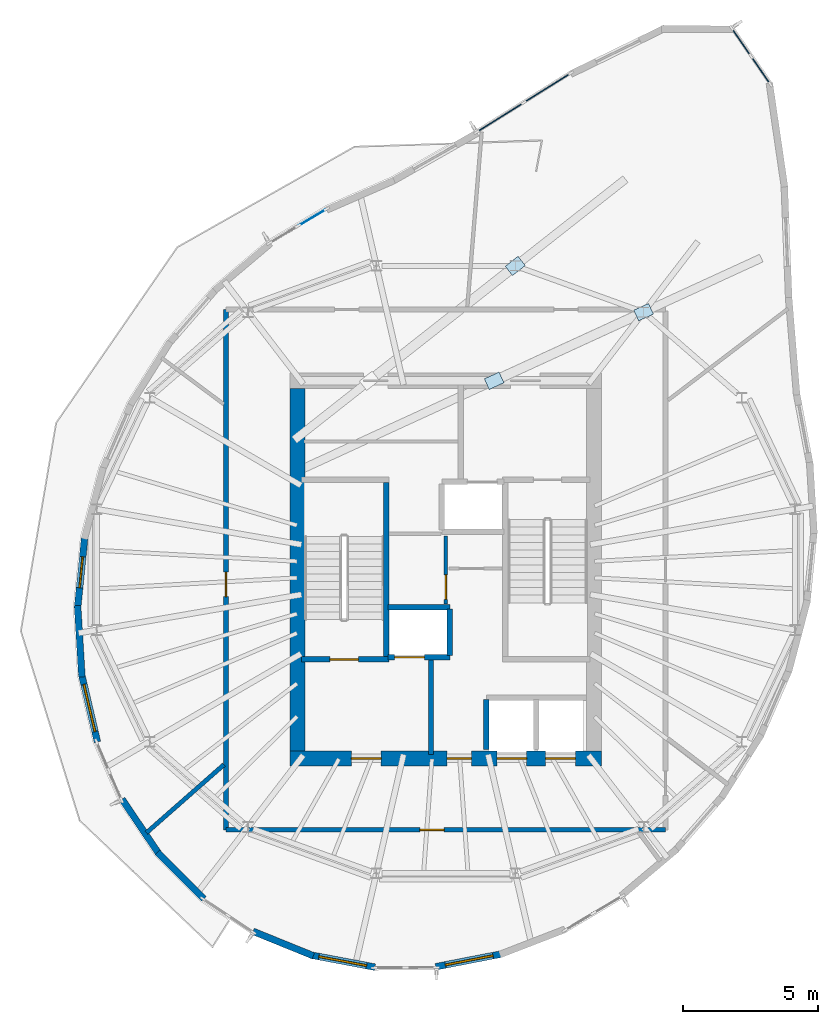
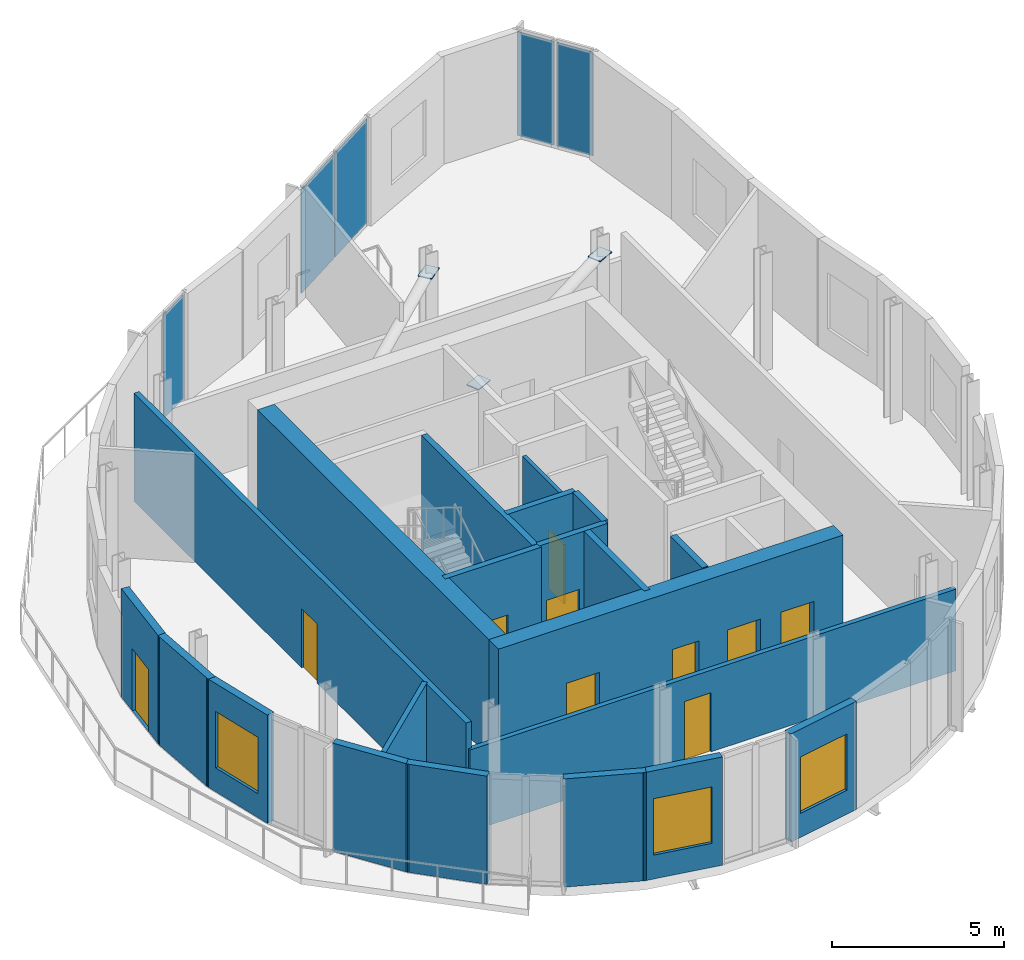
# One storey, part 4 of 8: 21 walls, 10 doors, 8 plates, 3 windows, 13 openings, 3 elements without a shape of their own.
"""IFC4 building model written with IfcOpenShell, lengths in metres."""

from ifc_helpers import new_model, si_unit, direction, frame, frame_2d, origin, origin_2d, place, context, subcontext, project, spatial, rectangle, extrude, material, layer, layer_set, type_object, element, fill, aggregate, save


model = new_model("IFC4")

# Units and contexts
model_context = context("Model", 3, precision=1e-05, world=origin(), true_north=direction((0.0, 1.0)))
body_context = subcontext(model_context, "Body", "Model", "MODEL_VIEW")
ifc_project = project(units=[si_unit("LENGTHUNIT", "METRE"), si_unit("AREAUNIT", "SQUARE_METRE"), si_unit("VOLUMEUNIT", "CUBIC_METRE"), si_unit("PLANEANGLEUNIT", "RADIAN"), si_unit("MASSUNIT", "GRAM", prefix="KILO")], contexts=[model_context])

# Site, building, storey
site_placement = place(None, origin())
site = spatial("IfcSite", under=ifc_project, at=site_placement, CompositionType="ELEMENT")
building_placement = place(site_placement, origin())
building = spatial("IfcBuilding", under=site, at=building_placement, Name="Veldorim Arch Residences", CompositionType="ELEMENT")
storey_placement = place(building_placement, frame((0.0, 0.0, 246.8798828125)))
storey = spatial("IfcBuildingStorey", under=building, at=storey_placement, Name="L74", CompositionType="ELEMENT", Elevation=246.8798828125)

# Curtain wall, plates
ifc_material_1 = material(Name="Aluminium", Category="aluminium")
curtain_wall_type = type_object("IfcCurtainWallType", Name="Sky Lounge & Conservatory Tall Curtain Wall", PredefinedType="NOTDEFINED", material=ifc_material_1)
curtain_wall_1_placement = place(storey_placement, origin())
curtain_wall_1 = element("IfcCurtainWall", 1, at=curtain_wall_1_placement, inside=storey, type_object=curtain_wall_type, Name="L74 unitised curtain wall bay 03", PredefinedType="NOTDEFINED")
ifc_material_2 = material(Name="Laminated Low-E Glass", Category="glass")
ifc_layer_1 = layer(ifc_material_2, 0.031982421875, Name="Sky Lounge & Conservatory Tall Curtain Wall Glazing Panel 32")
ifc_layer_set_1 = layer_set([ifc_layer_1], Name="Laminated Low-E Glass")
plate_type_1 = type_object("IfcPlateType", Name="Sky Lounge & Conservatory Tall Curtain Wall Glazing Panel 32", PredefinedType="CURTAIN_PANEL", material=ifc_layer_set_1)
plate_1_placement = place(storey_placement, frame((34.017333984375, 40.76611328125, 0.080078125), z_axis=(0.0, 0.0, 1.0), x_axis=(0.847250937163, 0.531192855257, 0.0)))
plate_1 = element("IfcPlate", 2, at=plate_1_placement, type_object=plate_type_1, Name="CW-SKY panel 1.1", PredefinedType="CURTAIN_PANEL", context=body_context, shape_type="SweptSolid", body=[
    extrude(rectangle(XDim=1.9794921875, YDim=0.031982421875, at=origin_2d()), origin(), (0.0, 0.0, 1.0), 3.679931640625),
])
plate_2_placement = place(storey_placement, frame((35.76220703125, 41.860107421875, 0.080078125), z_axis=(0.0, 0.0, 1.0), x_axis=(0.847250937163, 0.531192855257, 0.0)))
plate_2 = element("IfcPlate", 3, at=plate_2_placement, type_object=plate_type_1, Name="CW-SKY panel 2.1", PredefinedType="CURTAIN_PANEL", context=body_context, shape_type="SweptSolid", body=[
    extrude(rectangle(XDim=1.9794921875, YDim=0.031982421875, at=origin_2d()), origin(), (0.0, 0.0, 1.0), 3.679931640625),
])
aggregate(curtain_wall_1, [plate_1, plate_2])

# Curtain wall, plate
curtain_wall_2_placement = place(storey_placement, origin())
curtain_wall_2 = element("IfcCurtainWall", 4, at=curtain_wall_2_placement, inside=storey, type_object=curtain_wall_type, Name="L74 unitised curtain wall bay 06", PredefinedType="NOTDEFINED")
plate_3_placement = place(storey_placement, frame((27.05517578125, 37.05712890625, 0.080078125), z_axis=(0.0, 0.0, 1.0), x_axis=(0.858706763256, 0.512467262114, 0.0)))
plate_3 = element("IfcPlate", 5, at=plate_3_placement, type_object=plate_type_1, Name="CW-SKY panel 2.1", PredefinedType="CURTAIN_PANEL", context=body_context, shape_type="SweptSolid", body=[
    extrude(rectangle(XDim=1.160400390625, YDim=0.031982421875, at=origin_2d()), origin(), (0.0, 0.0, 1.0), 3.679931640625),
])
aggregate(curtain_wall_2, [plate_3])

# Curtain wall, plates
curtain_wall_3_placement = place(storey_placement, origin())
curtain_wall_3 = element("IfcCurtainWall", 6, at=curtain_wall_3_placement, inside=storey, type_object=curtain_wall_type, Name="L74 unitised curtain wall bay 36", PredefinedType="NOTDEFINED")
plate_4_placement = place(storey_placement, frame((42.955322265625, 43.556396484375, 0.080078125), z_axis=(0.0, 0.0, 1.0), x_axis=(0.567588768264, -0.823312206967, 0.0)))
plate_4 = element("IfcPlate", 7, at=plate_4_placement, type_object=plate_type_1, Name="CW-SKY panel 1.1", PredefinedType="CURTAIN_PANEL", context=body_context, shape_type="SweptSolid", body=[
    extrude(rectangle(XDim=1.184814453125, YDim=0.031982421875, at=origin_2d()), origin(), (0.0, 0.0, 1.0), 3.679931640625),
])
plate_5_placement = place(storey_placement, frame((43.673095703125, 42.51513671875, 0.080078125), z_axis=(0.0, 0.0, 1.0), x_axis=(0.567588768264, -0.823312206967, 0.0)))
plate_5 = element("IfcPlate", 8, at=plate_5_placement, type_object=plate_type_1, Name="CW-SKY panel 2.1", PredefinedType="CURTAIN_PANEL", context=body_context, shape_type="SweptSolid", body=[
    extrude(rectangle(XDim=1.184814453125, YDim=0.031982421875, at=origin_2d()), origin(), (0.0, 0.0, 1.0), 3.679931640625),
])
aggregate(curtain_wall_3, [plate_4, plate_5])

# Plates
ifc_material_3 = material(Name="Steel S355", Category="steel")
ifc_layer_2 = layer(ifc_material_3, 0.035888671875, Name="Welded Hollow-Section End-Cap & Gusset Plate 36")
ifc_layer_set_2 = layer_set([ifc_layer_2], Name="Steel S355")
plate_type_2 = type_object("IfcPlateType", Name="Welded Hollow-Section End-Cap & Gusset Plate 36", PredefinedType="USERDEFINED", material=ifc_layer_set_2)
for number, where, z_axis, x_axis, name in (
    (9, (33.79248046875, 31.0, 2.2822265625), (0.0, 0.0, 1.0), (0.908712277409, 0.41742304307, 0.0), "Observation prow truss 1 back-span brace L74 welded joint gusset plate 1"),
    (10, (39.33349609375, 33.54541015625, 3.34228515625), (0.0, 0.0, 1.0), (0.908712277409, 0.41742304307, 0.0), "Observation prow truss 1 back-span brace L74 welded joint gusset plate 2"),
    (11, (34.5751953125, 35.259521484375, 3.34228515625), (0.0, 0.0, 1.0), (0.785630181881, 0.618696385409, 0.0), "Observation prow truss 2 back-span brace L74 welded joint gusset plate 2"),
):
    element("IfcPlate", number, at=place(storey_placement, frame(where, z_axis=z_axis, x_axis=x_axis)), inside=storey, type_object=plate_type_2, Name=name, ObjectType="GUSSET PLATE", PredefinedType="USERDEFINED", context=body_context, shape_type="SweptSolid", body=[
        extrude(rectangle(XDim=0.60205078125, YDim=0.43603515625, at=origin_2d()), origin(), (0.0, 0.0, 1.0), 0.035888671875),
    ])

# Wall, opening, door
ifc_material_4 = material(Name="Acoustic Gypsum Board", Category="gypsum")
ifc_layer_3 = layer(ifc_material_4, 0.125, Name="Acoustic Stud Room Partition Wall 125")
ifc_layer_set_3 = layer_set([ifc_layer_3], Name="Acoustic Gypsum Board")
wall_type_1 = type_object("IfcWallType", Name="Acoustic Stud Room Partition Wall 125", PredefinedType="PARTITIONING", material=ifc_layer_set_3)
wall_1_placement = place(storey_placement, frame((32.0, 22.719970703125, 0.0), z_axis=(0.0, 0.0, 1.0), x_axis=(0.0, 1.0, 0.0)))
wall_1 = element("IfcWall", 12, at=wall_1_placement, inside=storey, type_object=wall_type_1, Name="L74 interior wall WL-CA-L74-1", PredefinedType="PARTITIONING", context=body_context, shape_type="SweptSolid", body=[
    extrude(rectangle(XDim=2.52001953125, YDim=0.125, at=frame_2d((1.260009765625, 0.0))), origin(), (0.0, 0.0, 1.0), 3.835205078125),
])
opening_1_placement = place(wall_1_placement, frame((0.179931640625, 0.0, 0.0)))
opening_1 = element("IfcOpeningElement", 13, at=opening_1_placement, cuts=wall_1, Name="Opening DR-SVC", PredefinedType="OPENING", context=body_context, shape_type="SweptSolid", body=[
    extrude(rectangle(XDim=0.89990234375, YDim=2.10009765625, at=frame_2d((0.449951171875, 1.050048828125))), frame((0.0, 0.072509765625, 0.0), z_axis=(0.0, -1.0, 0.0), x_axis=(1.0, 0.0, 0.0)), (0.0, 0.0, 1.0), 0.14501953125),
])
ifc_material_5 = material(Name="Fire-Rated Steel", Category="steel")
door_type_1 = type_object("IfcDoorType", Name="Riser, Shelter & Plant Room Rated Steel Door 900x2100", OperationType="SINGLE_SWING_LEFT", PredefinedType="DOOR", material=ifc_material_5)
door_1_placement = place(opening_1_placement, origin())
door_1 = element("IfcDoor", 14, at=door_1_placement, inside=storey, type_object=door_type_1, Name="L74 interior door DR-L74-CA2", OperationType="SINGLE_SWING_RIGHT", OverallHeight=2.10009765625, OverallWidth=0.89990234375, PredefinedType="DOOR", context=body_context, shape_type="SweptSolid", body=[
    extrude(rectangle(XDim=0.89990234375, YDim=2.10009765625, at=frame_2d((0.449951171875, 1.050048828125))), frame((0.0, 0.02490234375, 0.0), z_axis=(0.0, -1.0, 0.0), x_axis=(1.0, 0.0, 0.0)), (0.0, 0.0, 1.0), 0.050048828125),
])
fill(opening_1, door_1)

ifc_material_6 = material(Name="Lightweight Masonry Block & Gypsum", Category="masonry")
ifc_layer_4 = layer(ifc_material_6, 0.179931640625, Name="Compartment & Corridor Fire-Rated Party Wall 180")
ifc_layer_set_4 = layer_set([ifc_layer_4], Name="Lightweight Masonry Block & Gypsum")
wall_type_2 = type_object("IfcWallType", Name="Compartment & Corridor Fire-Rated Party Wall 180", PredefinedType="PARTITIONING", material=ifc_layer_set_4)
wall_2_placement = place(storey_placement, frame((23.85009765625, 14.35009765625, 0.0), z_axis=(0.0, 0.0, 1.0), x_axis=(0.0, 1.0, 0.0)))
wall_2 = element("IfcWall", 15, at=wall_2_placement, inside=storey, type_object=wall_type_2, Name="L74 interior wall WL-SKY-L74-003", PredefinedType="PARTITIONING", context=body_context, shape_type="SweptSolid", body=[
    extrude(rectangle(XDim=19.2998046875, YDim=0.179931640625, at=frame_2d((9.64990234375, 0.0))), origin(), (0.0, 0.0, 1.0), 3.835205078125),
])
opening_2_placement = place(wall_2_placement, frame((8.65185546875, 0.0, 0.0)))
opening_2 = element("IfcOpeningElement", 16, at=opening_2_placement, cuts=wall_2, Name="Opening DR-INT", PredefinedType="OPENING", context=body_context, shape_type="SweptSolid", body=[
    extrude(rectangle(XDim=0.89990234375, YDim=2.10009765625, at=frame_2d((0.449951171875, 1.050048828125))), frame((0.0, 0.099853515625, 0.0), z_axis=(0.0, -1.0, 0.0), x_axis=(1.0, 0.0, 0.0)), (0.0, 0.0, 1.0), 0.199951171875),
])
ifc_material_7 = material(Name="Engineered Timber", Category="wood")
door_type_2 = type_object("IfcDoorType", Name="Apartment Internal Room Timber Door 900x2100", OperationType="SINGLE_SWING_LEFT", PredefinedType="DOOR", material=ifc_material_7)
door_2_placement = place(opening_2_placement, origin())
door_2 = element("IfcDoor", 17, at=door_2_placement, inside=storey, type_object=door_type_2, Name="L74 interior door DR-SKY-L74-003", OperationType="SINGLE_SWING_LEFT", OverallHeight=2.10009765625, OverallWidth=0.89990234375, PredefinedType="DOOR", context=body_context, shape_type="SweptSolid", body=[
    extrude(rectangle(XDim=0.89990234375, YDim=2.10009765625, at=frame_2d((0.449951171875, 1.050048828125))), frame((0.0, 0.02490234375, 0.0), z_axis=(0.0, -1.0, 0.0), x_axis=(1.0, 0.0, 0.0)), (0.0, 0.0, 1.0), 0.050048828125),
])
fill(opening_2, door_2)

# Wall
ifc_material_8 = material(Name="Concrete C50/60", Category="concrete")
ifc_layer_5 = layer(ifc_material_8, 0.199951171875, Name="Core Stair & Lift Shaft Enclosure Wall 200")
ifc_layer_set_5 = layer_set([ifc_layer_5], Name="Concrete C50/60")
wall_type_3 = type_object("IfcWallType", Name="Core Stair & Lift Shaft Enclosure Wall 200", PredefinedType="SHEAR", material=ifc_layer_set_5)
wall_3_placement = place(storey_placement, frame((29.7900390625, 20.780029296875, 0.0), z_axis=(0.0, 0.0, 1.0), x_axis=(0.0, 1.0, 0.0)))
element("IfcWall", 18, at=wall_3_placement, inside=storey, type_object=wall_type_3, Name="L74 shaft wall WL-SHF-L74-ST1-E", PredefinedType="SHEAR", context=body_context, shape_type="SweptSolid", body=[
    extrude(rectangle(XDim=6.43994140625, YDim=0.199951171875, at=frame_2d((3.219970703125, 0.0))), origin(), (0.0, 0.0, 1.0), 4.16015625),
])

# Wall, opening, door
wall_4_placement = place(storey_placement, frame((26.64990234375, 20.669921875, 0.0), z_axis=(0.0, 0.0, 1.0), x_axis=(1.0, 0.0, 0.0)))
wall_4 = element("IfcWall", 19, at=wall_4_placement, inside=storey, type_object=wall_type_3, Name="L74 shaft wall WL-SHF-L74-ST1-S", PredefinedType="SHEAR", context=body_context, shape_type="SweptSolid", body=[
    extrude(rectangle(XDim=3.239990234375, YDim=0.199951171875, at=frame_2d((1.6201171875, 0.0))), origin(), (0.0, 0.0, 1.0), 4.16015625),
])
opening_3_placement = place(wall_4_placement, frame((1.054931640625, 0.0, 0.0)))
opening_3 = element("IfcOpeningElement", 20, at=opening_3_placement, cuts=wall_4, Name="Opening DR-ST", PredefinedType="OPENING", context=body_context, shape_type="SweptSolid", body=[
    extrude(rectangle(XDim=1.050048828125, YDim=2.14990234375, at=frame_2d((0.52490234375, 1.074951171875))), frame((0.0, 0.10986328125, 0.0), z_axis=(0.0, -1.0, 0.0), x_axis=(1.0, 0.0, 0.0)), (0.0, 0.0, 1.0), 0.219970703125),
])
ifc_material_9 = material(Name="Fire-Rated Steel", Category="steel")
door_type_3 = type_object("IfcDoorType", Name="Exit Staircase Self-Closing Fire Door 1050x2150", OperationType="SINGLE_SWING_LEFT", PredefinedType="DOOR", material=ifc_material_9)
door_3_placement = place(opening_3_placement, origin())
door_3 = element("IfcDoor", 21, at=door_3_placement, inside=storey, type_object=door_type_3, Name="L74 interior door DR-L74-ST1", OperationType="SINGLE_SWING_LEFT", OverallHeight=2.14990234375, OverallWidth=1.050048828125, PredefinedType="DOOR", context=body_context, shape_type="SweptSolid", body=[
    extrude(rectangle(XDim=1.050048828125, YDim=2.14990234375, at=frame_2d((0.52490234375, 1.074951171875))), frame((0.0, 0.02490234375, 0.0), z_axis=(0.0, -1.0, 0.0), x_axis=(1.0, 0.0, 0.0)), (0.0, 0.0, 1.0), 0.050048828125),
])
fill(opening_3, door_3)

# Wall
wall_5_placement = place(storey_placement, frame((31.449951171875, 17.14990234375, 0.0), z_axis=(0.0, 0.0, 1.0), x_axis=(0.0, 1.0, 0.0)))
element("IfcWall", 22, at=wall_5_placement, inside=storey, type_object=wall_type_3, Name="L74 shaft wall WL-FFL1-L74-E", PredefinedType="SHEAR", context=body_context, shape_type="SweptSolid", body=[
    extrude(rectangle(XDim=3.5, YDim=0.199951171875, at=frame_2d((1.75, 0.0))), origin(), (0.0, 0.0, 1.0), 4.16015625),
])

# Wall, opening, door
wall_6_placement = place(storey_placement, frame((29.85009765625, 20.75, 0.0), z_axis=(0.0, 0.0, 1.0), x_axis=(1.0, 0.0, 0.0)))
wall_6 = element("IfcWall", 23, at=wall_6_placement, inside=storey, type_object=wall_type_3, Name="L74 shaft wall WL-FL01-L74-S", PredefinedType="SHEAR", context=body_context, shape_type="SweptSolid", body=[
    extrude(rectangle(XDim=2.2998046875, YDim=0.199951171875, at=frame_2d((1.14990234375, 0.0))), origin(), (0.0, 0.0, 1.0), 4.16015625),
])
opening_4_placement = place(wall_6_placement, frame((0.25, 0.0, 0.0)))
opening_4 = element("IfcOpeningElement", 24, at=opening_4_placement, cuts=wall_6, Name="Opening LD-FF", PredefinedType="OPENING", context=body_context, shape_type="SweptSolid", body=[
    extrude(rectangle(XDim=1.10009765625, YDim=2.14990234375, at=frame_2d((0.550048828125, 1.074951171875))), frame((0.0, 0.10986328125, 0.0), z_axis=(0.0, -1.0, 0.0), x_axis=(1.0, 0.0, 0.0)), (0.0, 0.0, 1.0), 0.219970703125),
])
ifc_material_10 = material(Name="Stainless Steel", Category="steel")
door_type_4 = type_object("IfcDoorType", Name="Firefighting Lift Bi-Parting Sliding Landing Door 1100x2150", OperationType="DOUBLE_DOOR_SLIDING", PredefinedType="DOOR", material=ifc_material_10)
door_4_placement = place(opening_4_placement, origin())
door_4 = element("IfcDoor", 25, at=door_4_placement, inside=storey, type_object=door_type_4, Name="L74 lift landing door LD-L74-FL01", OperationType="DOUBLE_DOOR_SLIDING", OverallHeight=2.14990234375, OverallWidth=1.10009765625, PredefinedType="DOOR", context=body_context, shape_type="SweptSolid", body=[
    extrude(rectangle(XDim=1.10009765625, YDim=2.14990234375, at=frame_2d((0.550048828125, 1.074951171875))), frame((0.0, 0.02490234375, 0.0), z_axis=(0.0, -1.0, 0.0), x_axis=(1.0, 0.0, 0.0)), (0.0, 0.0, 1.0), 0.050048828125),
])
fill(opening_4, door_4)

# Walls
wall_7_placement = place(storey_placement, frame((29.85009765625, 22.60009765625, 0.0), z_axis=(0.0, 0.0, 1.0), x_axis=(1.0, 0.0, 0.0)))
element("IfcWall", 26, at=wall_7_placement, inside=storey, type_object=wall_type_3, Name="L74 shaft wall WL-FL01-L74-N", PredefinedType="SHEAR", context=body_context, shape_type="SweptSolid", body=[
    extrude(rectangle(XDim=2.2998046875, YDim=0.199951171875, at=frame_2d((1.14990234375, 0.0))), origin(), (0.0, 0.0, 1.0), 4.16015625),
])
wall_8_placement = place(storey_placement, frame((32.14990234375, 20.820068359375, 0.0), z_axis=(0.0, 0.0, 1.0), x_axis=(0.0, 1.0, 0.0)))
element("IfcWall", 27, at=wall_8_placement, inside=storey, type_object=wall_type_3, Name="L74 shaft wall WL-FL01-L74-E", PredefinedType="SHEAR", context=body_context, shape_type="SweptSolid", body=[
    extrude(rectangle(XDim=1.7099609375, YDim=0.199951171875, at=frame_2d((0.85498046875, 0.0))), origin(), (0.0, 0.0, 1.0), 4.16015625),
])
wall_9_placement = place(storey_placement, frame((33.5, 17.320068359375, 0.0), z_axis=(0.0, 0.0, 1.0), x_axis=(0.0, 1.0, 0.0)))
element("IfcWall", 28, at=wall_9_placement, inside=storey, type_object=wall_type_3, Name="L74 shaft wall WL-OL-L74-W", PredefinedType="SHEAR", context=body_context, shape_type="SweptSolid", body=[
    extrude(rectangle(XDim=1.85986328125, YDim=0.199951171875, at=frame_2d((0.929931640625, 0.0))), origin(), (0.0, 0.0, 1.0), 4.16015625),
])

# Wall, opening, door
ifc_material_11 = material(Name="Precast concrete C40/50", Category="concrete")
ifc_layer_6 = layer(ifc_material_11, 0.25, Name="Tower Terracotta Spandrel & Pier Wall 250")
ifc_layer_set_6 = layer_set([ifc_layer_6], Name="Precast concrete C40/50")
wall_type_4 = type_object("IfcWallType", Name="Tower Terracotta Spandrel & Pier Wall 250", PredefinedType="SOLIDWALL", material=ifc_layer_set_6)
wall_10_placement = place(storey_placement, frame((18.34228515625, 22.556396484375, 0.0), z_axis=(0.0, 0.0, 1.0), x_axis=(0.100577316095, 0.994929245468, 0.0)))
wall_10 = element("IfcWall", 29, at=wall_10_placement, inside=storey, type_object=wall_type_4, Name="L74 terracotta facade wall 12", PredefinedType="SOLIDWALL", context=body_context, shape_type="SweptSolid", body=[
    extrude(rectangle(XDim=2.70166015625, YDim=0.25, at=frame_2d((1.350830078125, 0.0))), origin(), (0.0, 0.0, 1.0), 3.840087890625),
])
opening_5_placement = place(wall_10_placement, frame((0.77587890625, 0.0, 0.0)))
opening_5 = element("IfcOpeningElement", 30, at=opening_5_placement, cuts=wall_10, Name="Opening BL-DR", PredefinedType="OPENING", context=body_context, shape_type="SweptSolid", body=[
    extrude(rectangle(XDim=1.14990234375, YDim=2.199951171875, at=frame_2d((0.574951171875, 1.10009765625))), frame((0.0, 0.135009765625, 0.0), z_axis=(0.0, -1.0, 0.0), x_axis=(1.0, 0.0, 0.0)), (0.0, 0.0, 1.0), 0.27001953125),
])
ifc_material_12 = material(Name="Aluminium & Low-E Glass", Category="aluminium")
door_type_5 = type_object("IfcDoorType", Name="Glazed Planted Balcony Door 1150x2200", OperationType="SINGLE_SWING_LEFT", PredefinedType="DOOR", material=ifc_material_12)
door_5_placement = place(opening_5_placement, origin())
door_5 = element("IfcDoor", 31, at=door_5_placement, inside=storey, type_object=door_type_5, Name="L74 glazed outdoor terrace door BALC-1", OperationType="SINGLE_SWING_RIGHT", OverallHeight=2.199951171875, OverallWidth=1.14990234375, PredefinedType="DOOR", context=body_context, shape_type="SweptSolid", body=[
    extrude(rectangle(XDim=1.14990234375, YDim=2.199951171875, at=frame_2d((0.574951171875, 1.10009765625))), frame((0.0, 0.02490234375, 0.0), z_axis=(0.0, -1.0, 0.0), x_axis=(1.0, 0.0, 0.0)), (0.0, 0.0, 1.0), 0.050048828125),
])
fill(opening_5, door_5)

# Wall
wall_11_placement = place(storey_placement, frame((18.506103515625, 20.020263671875, 0.0), z_axis=(0.0, 0.0, 1.0), x_axis=(-0.060967752852, 0.998139736266, 0.0)))
element("IfcWall", 32, at=wall_11_placement, inside=storey, type_object=wall_type_4, Name="L74 terracotta facade wall 13", PredefinedType="SOLIDWALL", context=body_context, shape_type="SweptSolid", body=[
    extrude(rectangle(XDim=2.65087890625, YDim=0.25, at=frame_2d((1.325439453125, 0.0))), origin(), (0.0, 0.0, 1.0), 3.840087890625),
])

# Wall, opening, window
wall_12_placement = place(storey_placement, frame((19.080322265625, 17.605712890625, 0.0), z_axis=(0.0, 0.0, 1.0), x_axis=(-0.227726783942, 0.973725069964, 0.0)))
wall_12 = element("IfcWall", 33, at=wall_12_placement, inside=storey, type_object=wall_type_4, Name="L74 terracotta facade wall 14", PredefinedType="SOLIDWALL", context=body_context, shape_type="SweptSolid", body=[
    extrude(rectangle(XDim=2.59228515625, YDim=0.25, at=frame_2d((1.296142578125, 0.0))), origin(), (0.0, 0.0, 1.0), 3.840087890625),
])
opening_6_placement = place(wall_12_placement, frame((0.39599609375, 0.0, 0.85009765625)))
opening_6 = element("IfcOpeningElement", 34, at=opening_6_placement, cuts=wall_12, Name="Opening WN-04", PredefinedType="OPENING", context=body_context, shape_type="SweptSolid", body=[
    extrude(rectangle(XDim=1.800048828125, YDim=2.0, at=frame_2d((0.89990234375, 1.0))), frame((0.0, 0.135009765625, 0.0), z_axis=(0.0, -1.0, 0.0), x_axis=(1.0, 0.0, 0.0)), (0.0, 0.0, 1.0), 0.27001953125),
])
ifc_material_13 = material(Name="Laminated Low-E Glass", Category="glass")
window_type = type_object("IfcWindowType", Name="Sky Lounge Tall Picture Window 1800x1370", PartitioningType="SINGLE_PANEL", PredefinedType="WINDOW", material=ifc_material_13)
window_1_placement = place(opening_6_placement, origin())
window_1 = element("IfcWindow", 35, at=window_1_placement, inside=storey, type_object=window_type, Name="L74 solar-control facade window 14", OverallHeight=2.0, OverallWidth=1.800048828125, PartitioningType="SINGLE_PANEL", PredefinedType="WINDOW", context=body_context, shape_type="SweptSolid", body=[
    extrude(rectangle(XDim=1.800048828125, YDim=2.0, at=frame_2d((0.89990234375, 1.0))), frame((0.0, 0.030029296875, 0.0), z_axis=(0.0, -1.0, 0.0), x_axis=(1.0, 0.0, 0.0)), (0.0, 0.0, 1.0), 0.06005859375),
])
fill(opening_6, window_1)

# Walls
wall_13_placement = place(storey_placement, frame((21.37744140625, 13.43017578125, 0.0), z_axis=(0.0, 0.0, 1.0), x_axis=(-0.558536746098, 0.829479778691, 0.0)))
element("IfcWall", 36, at=wall_13_placement, inside=storey, type_object=wall_type_4, Name="L74 terracotta facade wall 16", PredefinedType="SOLIDWALL", context=body_context, shape_type="SweptSolid", body=[
    extrude(rectangle(XDim=2.47802734375, YDim=0.25, at=frame_2d((1.239013671875, 0.0))), origin(), (0.0, 0.0, 1.0), 3.840087890625),
])
wall_14_placement = place(storey_placement, frame((23.029052734375, 11.7958984375, 0.0), z_axis=(0.0, 0.0, 1.0), x_axis=(-0.707507464916, 0.70670587028, 0.0)))
element("IfcWall", 37, at=wall_14_placement, inside=storey, type_object=wall_type_4, Name="L74 terracotta facade wall 17", PredefinedType="SOLIDWALL", context=body_context, shape_type="SweptSolid", body=[
    extrude(rectangle(XDim=2.4365234375, YDim=0.25, at=frame_2d((1.21826171875, 0.0))), origin(), (0.0, 0.0, 1.0), 3.840087890625),
])
wall_15_placement = place(storey_placement, frame((27.088134765625, 9.677734375, 0.0), z_axis=(0.0, 0.0, 1.0), x_axis=(-0.92656790733, 0.376127522399, 0.0)))
element("IfcWall", 38, at=wall_15_placement, inside=storey, type_object=wall_type_4, Name="L74 terracotta facade wall 19", PredefinedType="SOLIDWALL", context=body_context, shape_type="SweptSolid", body=[
    extrude(rectangle(XDim=2.41455078125, YDim=0.25, at=frame_2d((1.207275390625, 0.0))), origin(), (0.0, 0.0, 1.0), 3.840087890625),
])

# Wall, opening, window
wall_16_placement = place(storey_placement, frame((29.372802734375, 9.257080078125, 0.0), z_axis=(0.0, 0.0, 1.0), x_axis=(-0.982577169387, 0.185855067728, 0.0)))
wall_16 = element("IfcWall", 39, at=wall_16_placement, inside=storey, type_object=wall_type_4, Name="L74 terracotta facade wall 20", PredefinedType="SOLIDWALL", context=body_context, shape_type="SweptSolid", body=[
    extrude(rectangle(XDim=2.436767578125, YDim=0.25, at=frame_2d((1.21826171875, 0.0))), origin(), (0.0, 0.0, 1.0), 3.840087890625),
])
opening_7_placement = place(wall_16_placement, frame((0.318115234375, 0.0, 0.85009765625)))
opening_7 = element("IfcOpeningElement", 40, at=opening_7_placement, cuts=wall_16, Name="Opening WN-04", PredefinedType="OPENING", context=body_context, shape_type="SweptSolid", body=[
    extrude(rectangle(XDim=1.800048828125, YDim=2.0, at=frame_2d((0.89990234375, 1.0))), frame((0.0, 0.135009765625, 0.0), z_axis=(0.0, -1.0, 0.0), x_axis=(1.0, 0.0, 0.0)), (0.0, 0.0, 1.0), 0.27001953125),
])
window_2_placement = place(opening_7_placement, origin())
window_2 = element("IfcWindow", 41, at=window_2_placement, inside=storey, type_object=window_type, Name="L74 solar-control facade window 20", OverallHeight=2.0, OverallWidth=1.800048828125, PartitioningType="SINGLE_PANEL", PredefinedType="WINDOW", context=body_context, shape_type="SweptSolid", body=[
    extrude(rectangle(XDim=1.800048828125, YDim=2.0, at=frame_2d((0.89990234375, 1.0))), frame((0.0, 0.030029296875, 0.0), z_axis=(0.0, -1.0, 0.0), x_axis=(1.0, 0.0, 0.0)), (0.0, 0.0, 1.0), 0.06005859375),
])
fill(opening_7, window_2)

wall_17_placement = place(storey_placement, frame((34.110595703125, 9.75537109375, 0.0), z_axis=(0.0, 0.0, 1.0), x_axis=(-0.98160535152, -0.190921276622, 0.0)))
wall_17 = element("IfcWall", 42, at=wall_17_placement, inside=storey, type_object=wall_type_4, Name="L74 terracotta facade wall 22", PredefinedType="SOLIDWALL", context=body_context, shape_type="SweptSolid", body=[
    extrude(rectangle(XDim=2.531982421875, YDim=0.25, at=frame_2d((1.26611328125, 0.0))), origin(), (0.0, 0.0, 1.0), 3.840087890625),
])
opening_8_placement = place(wall_17_placement, frame((0.365966796875, 0.0, 0.85009765625)))
opening_8 = element("IfcOpeningElement", 43, at=opening_8_placement, cuts=wall_17, Name="Opening WN-04", PredefinedType="OPENING", context=body_context, shape_type="SweptSolid", body=[
    extrude(rectangle(XDim=1.800048828125, YDim=2.0, at=frame_2d((0.89990234375, 1.0))), frame((0.0, 0.135009765625, 0.0), z_axis=(0.0, -1.0, 0.0), x_axis=(1.0, 0.0, 0.0)), (0.0, 0.0, 1.0), 0.27001953125),
])
window_3_placement = place(opening_8_placement, origin())
window_3 = element("IfcWindow", 44, at=window_3_placement, inside=storey, type_object=window_type, Name="L74 solar-control facade window 22", OverallHeight=2.0, OverallWidth=1.800048828125, PartitioningType="SINGLE_PANEL", PredefinedType="WINDOW", context=body_context, shape_type="SweptSolid", body=[
    extrude(rectangle(XDim=1.800048828125, YDim=2.0, at=frame_2d((0.89990234375, 1.0))), frame((0.0, 0.030029296875, 0.0), z_axis=(0.0, -1.0, 0.0), x_axis=(1.0, 0.0, 0.0)), (0.0, 0.0, 1.0), 0.06005859375),
])
fill(opening_8, window_3)

# Wall, openings, doors
ifc_material_14 = material(Name="Concrete C50/60", Category="concrete")
ifc_layer_7 = layer(ifc_material_14, 0.5, Name="Upper Central Core Shear Wall 560")
ifc_layer_set_7 = layer_set([ifc_layer_7], Name="Concrete C50/60")
wall_type_5 = type_object("IfcWallType", Name="Upper Central Core Shear Wall 560", PredefinedType="SHEAR", material=ifc_layer_set_7)
wall_18_placement = place(storey_placement, frame((26.219970703125, 17.0, 0.0), z_axis=(0.0, 0.0, 1.0), x_axis=(1.0, 0.0, 0.0)))
wall_18 = element("IfcWall", 45, at=wall_18_placement, inside=storey, type_object=wall_type_5, Name="L74 central core south shear wall", PredefinedType="SHEAR", context=body_context, shape_type="SweptSolid", body=[
    extrude(rectangle(XDim=11.56005859375, YDim=0.56005859375, at=frame_2d((5.780029296875, 0.0))), origin(), (0.0, 0.0, 1.0), 4.16015625),
])
opening_9_placement = place(wall_18_placement, frame((2.280029296875, 0.0, 0.0)))
opening_9 = element("IfcOpeningElement", 46, at=opening_9_placement, cuts=wall_18, Name="Opening DR-FFL", PredefinedType="OPENING", context=body_context, shape_type="SweptSolid", body=[
    extrude(rectangle(XDim=1.10009765625, YDim=2.14990234375, at=frame_2d((0.550048828125, 1.074951171875))), frame((0.0, 0.2900390625, 0.0), z_axis=(0.0, -1.0, 0.0), x_axis=(1.0, 0.0, 0.0)), (0.0, 0.0, 1.0), 0.580078125),
])
opening_10_placement = place(wall_18_placement, frame((7.679931640625, 0.0, 0.0)))
opening_10 = element("IfcOpeningElement", 47, at=opening_10_placement, cuts=wall_18, Name="Opening LD-OB", PredefinedType="OPENING", context=body_context, shape_type="SweptSolid", body=[
    extrude(rectangle(XDim=1.10009765625, YDim=2.14990234375, at=frame_2d((0.550048828125, 1.074951171875))), frame((0.0, 0.2900390625, 0.0), z_axis=(0.0, -1.0, 0.0), x_axis=(1.0, 0.0, 0.0)), (0.0, 0.0, 1.0), 0.580078125),
])
opening_11_placement = place(wall_18_placement, frame((9.47998046875, 0.0, 0.0)))
opening_11 = element("IfcOpeningElement", 48, at=opening_11_placement, cuts=wall_18, Name="Opening LD-OB", PredefinedType="OPENING", context=body_context, shape_type="SweptSolid", body=[
    extrude(rectangle(XDim=1.10009765625, YDim=2.14990234375, at=frame_2d((0.550048828125, 1.074951171875))), frame((0.0, 0.2900390625, 0.0), z_axis=(0.0, -1.0, 0.0), x_axis=(1.0, 0.0, 0.0)), (0.0, 0.0, 1.0), 0.580078125),
])
opening_12_placement = place(wall_18_placement, frame((5.830078125, 0.0, 0.0)))
opening_12 = element("IfcOpeningElement", 49, at=opening_12_placement, cuts=wall_18, Name="Opening DR-SVC", PredefinedType="OPENING", context=body_context, shape_type="SweptSolid", body=[
    extrude(rectangle(XDim=0.89990234375, YDim=2.10009765625, at=frame_2d((0.449951171875, 1.050048828125))), frame((0.0, 0.2900390625, 0.0), z_axis=(0.0, -1.0, 0.0), x_axis=(1.0, 0.0, 0.0)), (0.0, 0.0, 1.0), 0.580078125),
])
ifc_material_15 = material(Name="Fire-Rated Steel & Vision Glass", Category="steel")
door_type_6 = type_object("IfcDoorType", Name="Firefighting Lobby Smoke-Stop Fire Door 1100x2150", OperationType="SINGLE_SWING_LEFT", PredefinedType="DOOR", material=ifc_material_15)
door_6_placement = place(opening_9_placement, origin())
door_6 = element("IfcDoor", 50, at=door_6_placement, inside=storey, type_object=door_type_6, Name="L74 interior door DR-L74-FFL1", OperationType="SINGLE_SWING_RIGHT", OverallHeight=2.14990234375, OverallWidth=1.10009765625, PredefinedType="DOOR", context=body_context, shape_type="SweptSolid", body=[
    extrude(rectangle(XDim=1.10009765625, YDim=2.14990234375, at=frame_2d((0.550048828125, 1.074951171875))), frame((0.0, 0.02490234375, 0.0), z_axis=(0.0, -1.0, 0.0), x_axis=(1.0, 0.0, 0.0)), (0.0, 0.0, 1.0), 0.050048828125),
])
fill(opening_9, door_6)
ifc_material_16 = material(Name="Stainless Steel & Fire Glass", Category="steel")
door_type_7 = type_object("IfcDoorType", Name="Observation Shuttle Glazed Sliding Landing Door 1100x2150", OperationType="DOUBLE_DOOR_SLIDING", PredefinedType="DOOR", material=ifc_material_16)
door_7_placement = place(opening_10_placement, origin())
door_7 = element("IfcDoor", 51, at=door_7_placement, inside=storey, type_object=door_type_7, Name="L74 lift landing door LD-L74-OL-01", OperationType="DOUBLE_DOOR_SLIDING", OverallHeight=2.14990234375, OverallWidth=1.10009765625, PredefinedType="DOOR", context=body_context, shape_type="SweptSolid", body=[
    extrude(rectangle(XDim=1.10009765625, YDim=2.14990234375, at=frame_2d((0.550048828125, 1.074951171875))), frame((0.0, 0.02490234375, 0.0), z_axis=(0.0, -1.0, 0.0), x_axis=(1.0, 0.0, 0.0)), (0.0, 0.0, 1.0), 0.050048828125),
])
fill(opening_10, door_7)
door_8_placement = place(opening_11_placement, origin())
door_8 = element("IfcDoor", 52, at=door_8_placement, inside=storey, type_object=door_type_7, Name="L74 lift landing door LD-L74-OL-02", OperationType="DOUBLE_DOOR_SLIDING", OverallHeight=2.14990234375, OverallWidth=1.10009765625, PredefinedType="DOOR", context=body_context, shape_type="SweptSolid", body=[
    extrude(rectangle(XDim=1.10009765625, YDim=2.14990234375, at=frame_2d((0.550048828125, 1.074951171875))), frame((0.0, 0.02490234375, 0.0), z_axis=(0.0, -1.0, 0.0), x_axis=(1.0, 0.0, 0.0)), (0.0, 0.0, 1.0), 0.050048828125),
])
fill(opening_11, door_8)
door_9_placement = place(opening_12_placement, origin())
door_9 = element("IfcDoor", 53, at=door_9_placement, inside=storey, type_object=door_type_1, Name="L74 interior door DR-L74-COR-ANC", OperationType="SINGLE_SWING_LEFT", OverallHeight=2.10009765625, OverallWidth=0.89990234375, PredefinedType="DOOR", context=body_context, shape_type="SweptSolid", body=[
    extrude(rectangle(XDim=0.89990234375, YDim=2.10009765625, at=frame_2d((0.449951171875, 1.050048828125))), frame((0.0, 0.02490234375, 0.0), z_axis=(0.0, -1.0, 0.0), x_axis=(1.0, 0.0, 0.0)), (0.0, 0.0, 1.0), 0.050048828125),
])
fill(opening_12, door_9)

# Wall
wall_19_placement = place(storey_placement, frame((26.5, 17.280029296875, 0.0), z_axis=(0.0, 0.0, 1.0), x_axis=(0.0, 1.0, 0.0)))
element("IfcWall", 54, at=wall_19_placement, inside=storey, type_object=wall_type_5, Name="L74 central core west shear wall", PredefinedType="SHEAR", context=body_context, shape_type="SweptSolid", body=[
    extrude(rectangle(XDim=13.43994140625, YDim=0.56005859375, at=frame_2d((6.719970703125, 0.0))), origin(), (0.0, 0.0, 1.0), 4.16015625),
])

# Wall, opening, door
ifc_material_17 = material(Name="Moisture-Resistant Gypsum & Stud", Category="gypsum")
ifc_layer_8 = layer(ifc_material_17, 0.159912109375, Name="Wet-Area Moisture-Resistant Plumbing Wall 160")
ifc_layer_set_8 = layer_set([ifc_layer_8], Name="Moisture-Resistant Gypsum & Stud")
wall_type_6 = type_object("IfcWallType", Name="Wet-Area Moisture-Resistant Plumbing Wall 160", PredefinedType="PLUMBINGWALL", material=ifc_layer_set_8)
wall_20_placement = place(storey_placement, frame((40.14990234375, 14.35009765625, 0.0), z_axis=(0.0, 0.0, 1.0), x_axis=(-1.0, 0.0, 0.0)))
wall_20 = element("IfcWall", 55, at=wall_20_placement, inside=storey, type_object=wall_type_6, Name="L74 interior wall WL-SKY-L74-004", PredefinedType="PLUMBINGWALL", context=body_context, shape_type="SweptSolid", body=[
    extrude(rectangle(XDim=16.2998046875, YDim=0.159912109375, at=frame_2d((8.14990234375, 0.0))), origin(), (0.0, 0.0, 1.0), 2.899658203125),
])
opening_13_placement = place(wall_20_placement, frame((8.2158203125, 0.0, 0.0)))
opening_13 = element("IfcOpeningElement", 56, at=opening_13_placement, cuts=wall_20, Name="Opening DR-INT", PredefinedType="OPENING", context=body_context, shape_type="SweptSolid", body=[
    extrude(rectangle(XDim=0.89990234375, YDim=2.10009765625, at=frame_2d((0.449951171875, 1.050048828125))), frame((0.0, 0.08984375, 0.0), z_axis=(0.0, -1.0, 0.0), x_axis=(1.0, 0.0, 0.0)), (0.0, 0.0, 1.0), 0.179931640625),
])
door_10_placement = place(opening_13_placement, origin())
door_10 = element("IfcDoor", 57, at=door_10_placement, inside=storey, type_object=door_type_2, Name="L74 interior door DR-SKY-L74-004", OperationType="SINGLE_SWING_RIGHT", OverallHeight=2.10009765625, OverallWidth=0.89990234375, PredefinedType="DOOR", context=body_context, shape_type="SweptSolid", body=[
    extrude(rectangle(XDim=0.89990234375, YDim=2.10009765625, at=frame_2d((0.449951171875, 1.050048828125))), frame((0.0, 0.02490234375, 0.0), z_axis=(0.0, -1.0, 0.0), x_axis=(1.0, 0.0, 0.0)), (0.0, 0.0, 1.0), 0.050048828125),
])
fill(opening_13, door_10)

# Wall
wall_21_placement = place(storey_placement, frame((23.77490234375, 16.76904296875, 0.0), z_axis=(0.0, 0.0, 1.0), x_axis=(-0.751003011948, -0.660298777862, 0.0)))
element("IfcWall", 58, at=wall_21_placement, inside=storey, type_object=wall_type_6, Name="L74 interior wall WL-SKY-L74-008", PredefinedType="PLUMBINGWALL", context=body_context, shape_type="SweptSolid", body=[
    extrude(rectangle(XDim=3.830078125, YDim=0.159912109375, at=frame_2d((1.9150390625, 0.0))), origin(), (0.0, 0.0, 1.0), 3.835205078125),
])

save(model, "model.ifc")
